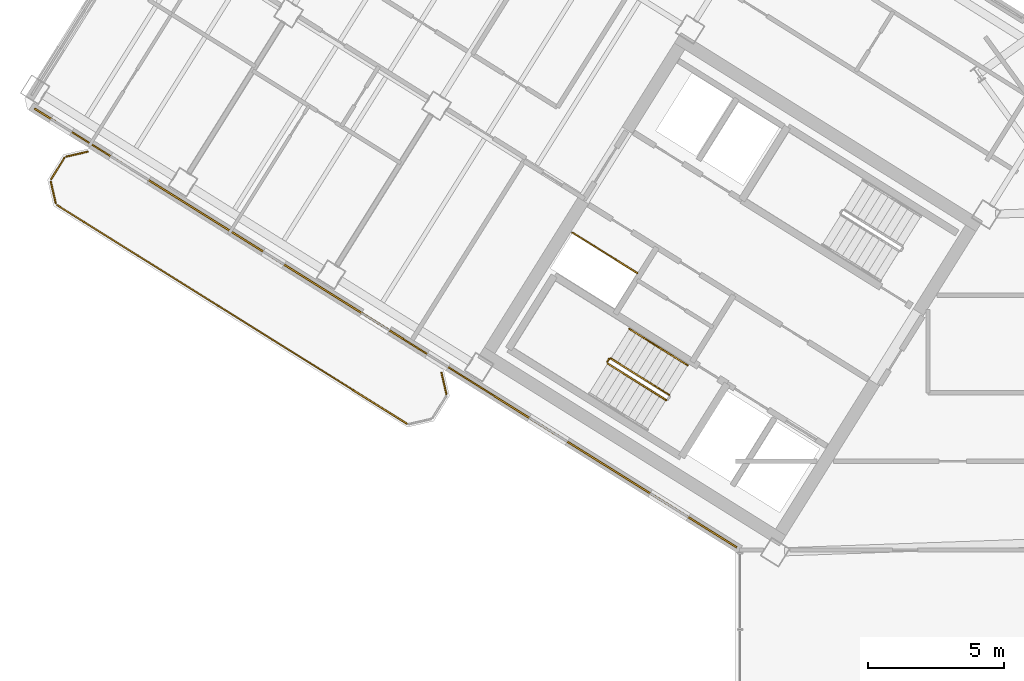
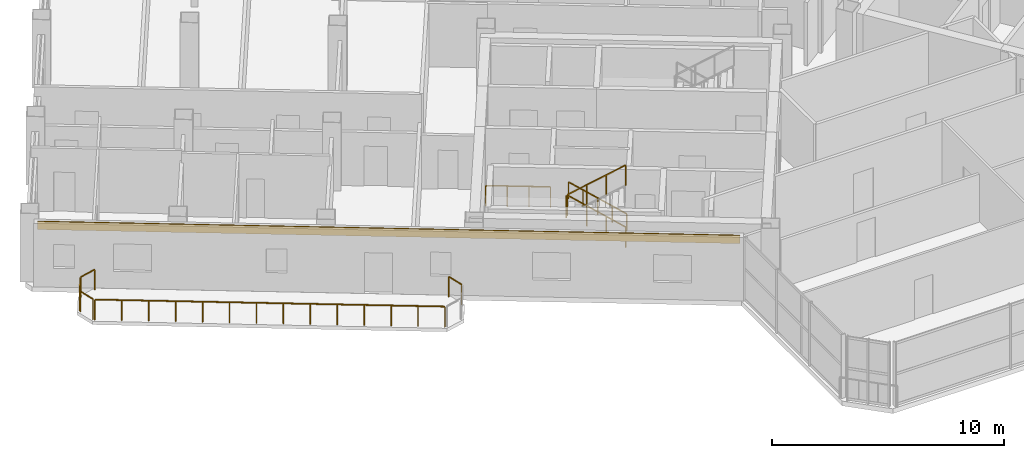
# One storey, part 18 of 21: 11 railings, 1 covering.
"""IFC4 building model written with IfcOpenShell, lengths in metres."""

import ifcopenshell
import ifcopenshell.guid

model = None  # the IFC model being written
_history = None  # IfcOwnerHistory: only IFC2X3 demands one
_inside = {}  # id of a spatial element -> (the spatial element, [elements in it])
_under = {}  # id of a project, library or spatial element -> (it, [spatial elements below it])
_declared = {}  # id of a project -> (the project, [libraries it declares])
_typed = {}  # id of a type object -> (the type object, [elements of that type])
_made_of = {}  # id of a material, layer set ... -> (it, [elements and type objects made of it])


def new_model(schema):
    """Start an empty IFC model of exactly this schema.

    Asked for "IFC4X3", IfcOpenShell would pick the latest addendum, in which some entities
    have other attributes; the version numbers below select the first issue.
    IFC2X3 requires an IfcOwnerHistory on every rooted entity: one is made here for all.
    """
    global model, _history
    if schema == "IFC4X3":
        model = ifcopenshell.file(schema_version=(4, 3, 0, 0))
    else:
        model = ifcopenshell.file(schema=schema)
    _inside.clear()
    _under.clear()
    _declared.clear()
    _typed.clear()
    _made_of.clear()
    _history = None
    if model.schema == "IFC2X3":
        org = make("IfcOrganization", Name="unknown")
        user = make(
            "IfcPersonAndOrganization",
            ThePerson=make("IfcPerson", FamilyName="unknown"),
            TheOrganization=org,
        )
        app = make(
            "IfcApplication",
            ApplicationDeveloper=org,
            Version="unknown",
            ApplicationFullName="unknown",
            ApplicationIdentifier="unknown",
        )
        _history = make(
            "IfcOwnerHistory",
            OwningUser=user,
            OwningApplication=app,
            ChangeAction="ADDED",
            CreationDate=0,
        )
    return model


def make(cls, **values):
    """One entity of the class cls with the attributes given. An attribute that is None is left unset."""
    return model.create_entity(
        cls, **{name: value for name, value in values.items() if value is not None}
    )


def rooted(cls, **values):
    """An entity with a GlobalId (a new one), such as an element, a storey or a relation."""
    return make(cls, GlobalId=ifcopenshell.guid.new(), OwnerHistory=_history, **values)


def si_unit(unit_type, name, prefix=None):
    """IfcSIUnit, for example si_unit("LENGTHUNIT", "METRE", prefix="MILLI")."""
    return make("IfcSIUnit", UnitType=unit_type, Prefix=prefix, Name=name)


def assignment(units):
    """IfcUnitAssignment: the units of a project."""
    return None if units is None else make("IfcUnitAssignment", Units=units)


def point(xyz):
    """IfcCartesianPoint."""
    return None if xyz is None else make("IfcCartesianPoint", Coordinates=xyz)


def direction(xyz):
    """IfcDirection."""
    return None if xyz is None else make("IfcDirection", DirectionRatios=xyz)


def frame(location, z_axis=None, x_axis=None):
    """IfcAxis2Placement3D, a coordinate frame: its origin and axes. An axis left out is left unset."""
    return make(
        "IfcAxis2Placement3D",
        Location=point(location),
        Axis=direction(z_axis),
        RefDirection=direction(x_axis),
    )


def frame_2d(location, x_axis=None):
    """IfcAxis2Placement2D, a coordinate frame in the plane: its origin and x axis."""
    return make(
        "IfcAxis2Placement2D", Location=point(location), RefDirection=direction(x_axis)
    )


def origin():
    """The frame at (0, 0, 0) with its axes left unset."""
    return frame((0.0, 0.0, 0.0))


def origin_2d():
    """The frame at (0, 0) in the plane with its x axis left unset."""
    return frame_2d((0.0, 0.0))


def place(relative_to, where):
    """IfcLocalPlacement: puts the frame where relative to a parent placement (None: the world)."""
    return make(
        "IfcLocalPlacement", PlacementRelTo=relative_to, RelativePlacement=where
    )


def context(
    kind, dimensions, precision=None, world=None, true_north=None, identifier=None
):
    """IfcGeometricRepresentationContext, for example the 3D "Model" context."""
    return make(
        "IfcGeometricRepresentationContext",
        ContextIdentifier=identifier,
        ContextType=kind,
        CoordinateSpaceDimension=dimensions,
        Precision=precision,
        WorldCoordinateSystem=world,
        TrueNorth=true_north,
    )


def subcontext(parent, identifier, kind, view, scale=None):
    """IfcGeometricRepresentationSubContext, for example "Body" below "Model"."""
    return make(
        "IfcGeometricRepresentationSubContext",
        ContextIdentifier=identifier,
        ContextType=kind,
        ParentContext=parent,
        TargetScale=scale,
        TargetView=view,
    )


def project(units=None, contexts=None):
    """IfcProject with its units and contexts."""
    return rooted(
        "IfcProject",
        Name="project",
        RepresentationContexts=contexts,
        UnitsInContext=assignment(units),
    )


def spatial(cls, under=None, at=None, **own):
    """A site, building, storey or space (cls), placed at a placement, below another one or the project."""
    s = rooted(cls, ObjectPlacement=at, **own)
    if under is not None:
        _under.setdefault(under.id(), (under, []))[1].append(s)
    return s


def profile(cls, at=None, kind="AREA", **sizes):
    """A parametric profile (cls). Its sizes go by their IFC names, for example OverallWidth=200.0."""
    return make(cls, ProfileType=kind, Position=at, **sizes)


def rectangle(**sizes):
    """IfcRectangleProfileDef."""
    return profile("IfcRectangleProfileDef", **sizes)


def extrude(swept, where, along, depth):
    """IfcExtrudedAreaSolid: the profile swept, set in the frame where, extruded along a direction by depth."""
    return make(
        "IfcExtrudedAreaSolid",
        SweptArea=swept,
        Position=where,
        ExtrudedDirection=direction(along),
        Depth=depth,
    )


def shape(context_of_items, identifier, shape_type, items):
    """IfcShapeRepresentation: the items that make up one representation, for example the "Body"."""
    return make(
        "IfcShapeRepresentation",
        ContextOfItems=context_of_items,
        RepresentationIdentifier=identifier,
        RepresentationType=shape_type,
        Items=items,
    )


def source(mapping_origin, context_of_items, identifier, shape_type, items):
    """IfcRepresentationMap: a shape defined once, which mapped items show again and again."""
    return make(
        "IfcRepresentationMap",
        MappingOrigin=mapping_origin,
        MappedRepresentation=shape(context_of_items, identifier, shape_type, items),
    )


def transform(
    local_origin,
    x_axis=None,
    y_axis=None,
    z_axis=None,
    scale=None,
    scale2=None,
    scale3=None,
    uniform=True,
):
    """IfcCartesianTransformationOperator3D, or its non-uniform kind. x_axis, y_axis, z_axis: its Axis1, 2, 3."""
    if uniform:
        return make(
            "IfcCartesianTransformationOperator3D",
            Axis1=direction(x_axis),
            Axis2=direction(y_axis),
            LocalOrigin=point(local_origin),
            Scale=scale,
            Axis3=direction(z_axis),
        )
    return make(
        "IfcCartesianTransformationOperator3DnonUniform",
        Axis1=direction(x_axis),
        Axis2=direction(y_axis),
        LocalOrigin=point(local_origin),
        Scale=scale,
        Axis3=direction(z_axis),
        Scale2=scale2,
        Scale3=scale3,
    )


def mapped(mapping_source, mapping_target):
    """IfcMappedItem: shows the shape of a source again, moved by a transform."""
    return make(
        "IfcMappedItem", MappingSource=mapping_source, MappingTarget=mapping_target
    )


def material(Name=None, Category=None):
    """IfcMaterial."""
    return make("IfcMaterial", Name=Name, Category=Category)


def layer(
    of_material, thickness, ventilated=None, Name=None, Category=None, Priority=None
):
    """IfcMaterialLayer: one layer of a wall or slab, of a material (None: an air gap)."""
    return make(
        "IfcMaterialLayer",
        Material=of_material,
        LayerThickness=thickness,
        IsVentilated=ventilated,
        Name=Name,
        Category=Category,
        Priority=Priority,
    )


def layer_set(layers, Name=None):
    """IfcMaterialLayerSet."""
    return make("IfcMaterialLayerSet", MaterialLayers=layers, LayerSetName=Name)


def made_of(thing, what):
    """Note that an element or type object is made of a material, layer set ...; save() writes the relation."""
    if what is not None:
        _made_of.setdefault(what.id(), (what, []))[1].append(thing)
    return thing


def type_object(cls, material=None, **own):
    """A type object (cls), such as IfcWallType, which elements share."""
    return made_of(rooted(cls, **own), material)


def element(
    cls,
    number,
    at=None,
    inside=None,
    cuts=None,
    type_object=None,
    material=None,
    context=None,
    identifier="Body",
    shape_type=None,
    held_by="IfcProductDefinitionShape",
    body=None,
    shapes=None,
    **own,
):
    """One element of the class cls, such as IfcWall. Its Tag is "e" and its number.

    at: its placement. inside: the storey or other place that contains it. cuts: it is an
    opening in that element (IfcRelVoidsElement). A single representation is given by context,
    identifier, shape_type and body (its items); several are given by shapes. held_by: the class
    of the entity that holds the representations. save() writes the other relations.
    """
    e = rooted(cls, Tag="e%d" % number, ObjectPlacement=at, **own)
    if body is not None:
        shapes = [shape(context, identifier, shape_type, body)]
    if shapes is not None:
        e.Representation = make(held_by, Representations=shapes)
    if inside is not None:
        _inside.setdefault(inside.id(), (inside, []))[1].append(e)
    if cuts is not None:
        rooted(
            "IfcRelVoidsElement", RelatingBuildingElement=cuts, RelatedOpeningElement=e
        )
    if type_object is not None:
        _typed.setdefault(type_object.id(), (type_object, []))[1].append(e)
    return made_of(e, material)


def aggregate(whole, parts):
    """IfcRelAggregates: a whole, such as a stair, and the parts it consists of."""
    return rooted("IfcRelAggregates", RelatingObject=whole, RelatedObjects=parts)


def save(model, path):
    """Write the relations noted so far, then the file.

    IfcRelAggregates (storeys below a building ...), IfcRelContainedInSpatialStructure (elements
    in a storey), IfcRelDefinesByType, IfcRelAssociatesMaterial and IfcRelDeclares: one each for
    every whole, place, type object, material and project.
    """
    for whole, parts in _under.values():
        aggregate(whole, parts)
    for where, things in _inside.values():
        rooted(
            "IfcRelContainedInSpatialStructure",
            RelatedElements=things,
            RelatingStructure=where,
        )
    for kind, things in _typed.values():
        rooted("IfcRelDefinesByType", RelatedObjects=things, RelatingType=kind)
    for what, things in _made_of.values():
        rooted("IfcRelAssociatesMaterial", RelatedObjects=things, RelatingMaterial=what)
    for by, libraries in _declared.values():
        rooted("IfcRelDeclares", RelatingContext=by, RelatedDefinitions=libraries)
    model.write(path)


model = new_model("IFC4")

# Units and contexts
model_context = context("Model", 3, precision=1e-05, world=origin(), true_north=direction((0.0, 1.0)))
body_context = subcontext(model_context, "Body", "Model", "MODEL_VIEW")
ifc_project = project(units=[si_unit("LENGTHUNIT", "METRE"), si_unit("AREAUNIT", "SQUARE_METRE"), si_unit("VOLUMEUNIT", "CUBIC_METRE"), si_unit("PLANEANGLEUNIT", "RADIAN"), si_unit("MASSUNIT", "GRAM", prefix="KILO")], contexts=[model_context])

# Site, building, storey
site_placement = place(None, origin())
site = spatial("IfcSite", under=ifc_project, at=site_placement, CompositionType="ELEMENT")
building_placement = place(site_placement, origin())
building = spatial("IfcBuilding", under=site, at=building_placement, Name="Tlacorven Tower", CompositionType="ELEMENT")
storey_placement = place(building_placement, frame((0.0, 0.0, 214.800048828125)))
storey = spatial("IfcBuildingStorey", under=building, at=storey_placement, Name="L54", CompositionType="ELEMENT", Elevation=214.800048828125)

# Railings
ifc_material_1 = material(Name="Aluminium and painted steel balustrade", Category="steel")
railing_type_1 = type_object("IfcRailingType", Name="RL-GRD-1100", PredefinedType="GUARDRAIL", material=ifc_material_1)
shared_shape_1 = source(origin(), body_context, "Body", "SweptSolid", [
    extrude(rectangle(XDim=0.048095703125, YDim=0.048095703125, at=origin_2d()), frame((0.0, 0.0, 1.076171875), z_axis=(-0.848091358275, 0.529850024081, 0.0), x_axis=(-0.529850024081, -0.848091358275, 0.0)), (0.0, 0.0, 1.0), 2.800048828125),
    extrude(rectangle(XDim=0.0419921875, YDim=0.0419921875, at=origin_2d()), origin(), (0.0, 0.0, 1.0), 1.052001953125),
    extrude(rectangle(XDim=0.0419921875, YDim=0.0419921875, at=origin_2d()), frame((-0.79150390625, 0.49462890625, 0.0)), (0.0, 0.0, 1.0), 1.052001953125),
    extrude(rectangle(XDim=0.0419921875, YDim=0.0419921875, at=origin_2d()), frame((-1.583251953125, 0.989013671875, 0.0)), (0.0, 0.0, 1.0), 1.052001953125),
    extrude(rectangle(XDim=0.0419921875, YDim=0.0419921875, at=origin_2d()), frame((-2.374755859375, 1.483642578125, 0.0)), (0.0, 0.0, 1.0), 1.052001953125),
])
railing_1_placement = place(storey_placement, frame((27.9912109375, 22.32080078125, 0.0)))
element("IfcRailing", 1, at=railing_1_placement, inside=storey, type_object=railing_type_1, Name="L54 Electrical Riser W Shaft Guard 1", PredefinedType="GUARDRAIL", context=body_context, shape_type="MappedRepresentation", body=[
    mapped(shared_shape_1, transform((0.0, 0.0, 0.0), scale=1.0)),
])
railing_type_2 = type_object("IfcRailingType", Name="RL-BAL-1100", PredefinedType="BALUSTRADE", material=ifc_material_1)
shared_shape_2 = source(origin(), body_context, "Body", "SweptSolid", [
    extrude(rectangle(XDim=0.048095703125, YDim=0.048095703125, at=origin_2d()), frame((0.0, 0.0, 1.076171875), z_axis=(0.225058334816, -0.974345290916, 0.0), x_axis=(0.974345290916, 0.225058334816, 0.0)), (0.0, 0.0, 1.0), 0.80712890625),
    extrude(rectangle(XDim=0.0419921875, YDim=0.0419921875, at=origin_2d()), origin(), (0.0, 0.0, 1.0), 1.052001953125),
    extrude(rectangle(XDim=0.0419921875, YDim=0.0419921875, at=origin_2d()), frame((0.181640625, -0.786376953125, 0.0)), (0.0, 0.0, 1.0), 1.052001953125),
])
railing_2_placement = place(storey_placement, frame((20.809814453125, 18.671142578125, 0.0)))
element("IfcRailing", 2, at=railing_2_placement, inside=storey, type_object=railing_type_2, Name="BAL-L54-W-OUT Guard Railing 1", PredefinedType="BALUSTRADE", context=body_context, shape_type="MappedRepresentation", body=[
    mapped(shared_shape_2, transform((0.0, 0.0, 0.0), scale=1.0)),
])
shared_shape_3 = source(origin(), body_context, "Body", "SweptSolid", [
    extrude(rectangle(XDim=0.048095703125, YDim=0.048095703125, at=origin_2d()), frame((0.0, 0.0, 1.076171875), z_axis=(-0.225058334816, 0.974345290916, 0.0), x_axis=(-0.974345290916, -0.225058334816, 0.0)), (0.0, 0.0, 1.0), 0.80712890625),
    extrude(rectangle(XDim=0.0419921875, YDim=0.0419921875, at=origin_2d()), origin(), (0.0, 0.0, 1.0), 1.052001953125),
    extrude(rectangle(XDim=0.0419921875, YDim=0.0419921875, at=origin_2d()), frame((-0.181640625, 0.786376953125, 0.0)), (0.0, 0.0, 1.0), 1.052001953125),
])
railing_3_placement = place(storey_placement, frame((6.66650390625, 24.88623046875, 0.0)))
element("IfcRailing", 3, at=railing_3_placement, inside=storey, type_object=railing_type_2, Name="BAL-L54-W-OUT Guard Railing 5", PredefinedType="BALUSTRADE", context=body_context, shape_type="MappedRepresentation", body=[
    mapped(shared_shape_3, transform((0.0, 0.0, 0.0), scale=1.0)),
])
shared_shape_4 = source(origin(), body_context, "Body", "SweptSolid", [
    extrude(rectangle(XDim=0.048095703125, YDim=0.048095703125, at=origin_2d()), frame((0.0, 0.0, 1.076171875), z_axis=(0.974411586182, 0.224771129628, 0.0), x_axis=(-0.224771129628, 0.974411586182, 0.0)), (0.0, 0.0, 1.0), 0.80712890625),
    extrude(rectangle(XDim=0.0419921875, YDim=0.0419921875, at=origin_2d()), origin(), (0.0, 0.0, 1.0), 1.052001953125),
    extrude(rectangle(XDim=0.0419921875, YDim=0.0419921875, at=origin_2d()), frame((0.786376953125, 0.181396484375, 0.0)), (0.0, 0.0, 1.0), 1.052001953125),
])
railing_4_placement = place(storey_placement, frame((7.05859375, 26.591064453125, 0.0)))
element("IfcRailing", 4, at=railing_4_placement, inside=storey, type_object=railing_type_2, Name="BAL-L54-W-OUT Guard Railing 7", PredefinedType="BALUSTRADE", context=body_context, shape_type="MappedRepresentation", body=[
    mapped(shared_shape_4, transform((0.0, 0.0, 0.0), scale=1.0)),
])
shared_shape_5 = source(origin(), body_context, "Body", "SweptSolid", [
    extrude(rectangle(XDim=0.048095703125, YDim=0.048095703125, at=origin_2d()), frame((0.0, 0.0, 1.076171875), z_axis=(0.529998940003, 0.847998304005, 0.0), x_axis=(-0.847998304005, 0.529998940003, 0.0)), (0.0, 0.0, 1.0), 0.912109375),
    extrude(rectangle(XDim=0.0419921875, YDim=0.0419921875, at=origin_2d()), origin(), (0.0, 0.0, 1.0), 1.052001953125),
    extrude(rectangle(XDim=0.0419921875, YDim=0.0419921875, at=origin_2d()), frame((0.4833984375, 0.7734375, 0.0)), (0.0, 0.0, 1.0), 1.052001953125),
])
railing_5_placement = place(storey_placement, frame((6.5, 25.763916015625, 0.0)))
element("IfcRailing", 5, at=railing_5_placement, inside=storey, type_object=railing_type_2, Name="BAL-L54-W-OUT Guard Railing 6", PredefinedType="BALUSTRADE", context=body_context, shape_type="MappedRepresentation", body=[
    mapped(shared_shape_5, transform((0.0, 0.0, 0.0), scale=1.0)),
])

# Covering
ifc_material_2 = material(Name="Precast concrete C45/55", Category="concrete")
ifc_layer = layer(ifc_material_2, 0.06005859375)
ifc_layer_set = layer_set([ifc_layer], Name="Precast concrete C45/55")
covering_type = type_object("IfcCoveringType", Name="CV-CLD-TERC", PredefinedType="CLADDING", material=ifc_layer_set)
shared_shape_6 = source(origin(), body_context, "Body", "SweptSolid", [
    extrude(rectangle(XDim=30.35205078125, YDim=0.06005859375, at=origin_2d()), origin(), (0.0, 0.0, 1.0), 0.419921875),
])
covering_placement = place(storey_placement, frame((18.7626953125, 20.3046875, 2.929931640625), z_axis=(0.0, 0.0, 1.0), x_axis=(-0.848048152806, 0.529919173576, 0.0)))
element("IfcCovering", 6, at=covering_placement, inside=storey, type_object=covering_type, Name="L54 Masonry-Frame Spandrel Cladding 1", PredefinedType="CLADDING", context=body_context, shape_type="MappedRepresentation", body=[
    mapped(shared_shape_6, transform((0.0, 0.0, 0.0), scale=1.0)),
])

# Railings
shared_shape_7 = source(origin(), body_context, "Body", "SweptSolid", [
    extrude(rectangle(XDim=0.048095703125, YDim=0.048095703125, at=origin_2d()), frame((0.0, 0.0, 1.076171875), z_axis=(-0.848051830527, 0.529913287944, 0.0), x_axis=(-0.529913287944, -0.848051830527, 0.0)), (0.0, 0.0, 1.0), 15.1171875),
    extrude(rectangle(XDim=0.0419921875, YDim=0.0419921875, at=origin_2d()), origin(), (0.0, 0.0, 1.0), 1.052001953125),
    extrude(rectangle(XDim=0.0419921875, YDim=0.0419921875, at=origin_2d()), frame((-0.986083984375, 0.6162109375, 0.0)), (0.0, 0.0, 1.0), 1.052001953125),
    extrude(rectangle(XDim=0.0419921875, YDim=0.0419921875, at=origin_2d()), frame((-1.972412109375, 1.232421875, 0.0)), (0.0, 0.0, 1.0), 1.052001953125),
    extrude(rectangle(XDim=0.0419921875, YDim=0.0419921875, at=origin_2d()), frame((-2.95849609375, 1.8486328125, 0.0)), (0.0, 0.0, 1.0), 1.052001953125),
    extrude(rectangle(XDim=0.0419921875, YDim=0.0419921875, at=origin_2d()), frame((-3.944580078125, 2.46484375, 0.0)), (0.0, 0.0, 1.0), 1.052001953125),
    extrude(rectangle(XDim=0.0419921875, YDim=0.0419921875, at=origin_2d()), frame((-4.930908203125, 3.0810546875, 0.0)), (0.0, 0.0, 1.0), 1.052001953125),
    extrude(rectangle(XDim=0.0419921875, YDim=0.0419921875, at=origin_2d()), frame((-5.9169921875, 3.697265625, 0.0)), (0.0, 0.0, 1.0), 1.052001953125),
    extrude(rectangle(XDim=0.0419921875, YDim=0.0419921875, at=origin_2d()), frame((-6.903076171875, 4.3134765625, 0.0)), (0.0, 0.0, 1.0), 1.052001953125),
    extrude(rectangle(XDim=0.0419921875, YDim=0.0419921875, at=origin_2d()), frame((-7.88916015625, 4.9296875, 0.0)), (0.0, 0.0, 1.0), 1.052001953125),
    extrude(rectangle(XDim=0.0419921875, YDim=0.0419921875, at=origin_2d()), frame((-8.87548828125, 5.5458984375, 0.0)), (0.0, 0.0, 1.0), 1.052001953125),
    extrude(rectangle(XDim=0.0419921875, YDim=0.0419921875, at=origin_2d()), frame((-9.861572265625, 6.162109375, 0.0)), (0.0, 0.0, 1.0), 1.052001953125),
    extrude(rectangle(XDim=0.0419921875, YDim=0.0419921875, at=origin_2d()), frame((-10.84765625, 6.7783203125, 0.0)), (0.0, 0.0, 1.0), 1.052001953125),
    extrude(rectangle(XDim=0.0419921875, YDim=0.0419921875, at=origin_2d()), frame((-11.833984375, 7.39453125, 0.0)), (0.0, 0.0, 1.0), 1.052001953125),
    extrude(rectangle(XDim=0.0419921875, YDim=0.0419921875, at=origin_2d()), frame((-12.820068359375, 8.0107421875, 0.0)), (0.0, 0.0, 1.0), 1.052001953125),
])
railing_6_placement = place(storey_placement, frame((19.5400390625, 16.80029296875, 0.0)))
element("IfcRailing", 7, at=railing_6_placement, inside=storey, type_object=railing_type_2, Name="BAL-L54-W-OUT Guard Railing 4", PredefinedType="BALUSTRADE", context=body_context, shape_type="MappedRepresentation", body=[
    mapped(shared_shape_7, transform((0.0, 0.0, 0.0), scale=1.0)),
])
shared_shape_8 = source(origin(), body_context, "Body", "SweptSolid", [
    extrude(rectangle(XDim=0.048095703125, YDim=0.048095703125, at=origin_2d()), frame((0.0, 0.0, 1.076171875), z_axis=(-0.713319727316, 0.445773895627, 0.540796265334), x_axis=(-0.529955395941, -0.84802551749, 0.0)), (0.0, 0.0, 1.0), 2.995849609375),
    extrude(rectangle(XDim=0.0419921875, YDim=0.0419921875, at=origin_2d()), origin(), (0.0, 0.0, 1.0), 1.052001953125),
    extrude(rectangle(XDim=0.0419921875, YDim=0.0419921875, at=origin_2d()), frame((-0.71240234375, 0.445068359375, 0.5400390625)), (0.0, 0.0, 1.0), 1.052001953125),
    extrude(rectangle(XDim=0.0419921875, YDim=0.0419921875, at=origin_2d()), frame((-1.424560546875, 0.890380859375, 1.080078125)), (0.0, 0.0, 1.0), 1.052001953125),
    extrude(rectangle(XDim=0.0419921875, YDim=0.0419921875, at=origin_2d()), frame((-2.136962890625, 1.33544921875, 1.6201171875)), (0.0, 0.0, 1.0), 1.052001953125),
])
railing_7_placement = place(storey_placement, frame((29.16064453125, 17.851806640625, 0.179931640625)))
element("IfcRailing", 8, at=railing_7_placement, inside=storey, type_object=railing_type_1, Name="L54 ST-W1 stair guard 1", PredefinedType="GUARDRAIL", context=body_context, shape_type="MappedRepresentation", body=[
    mapped(shared_shape_8, transform((0.0, 0.0, 0.0), scale=1.0)),
])
shared_shape_9 = source(origin(), body_context, "Body", "SweptSolid", [
    extrude(rectangle(XDim=0.048095703125, YDim=0.048095703125, at=origin_2d()), frame((0.0, 0.0, 1.076171875), z_axis=(-0.530546985787, -0.847655529016, 0.0), x_axis=(0.847655529016, -0.530546985787, 0.0)), (0.0, 0.0, 1.0), 0.1201171875),
    extrude(rectangle(XDim=0.0419921875, YDim=0.0419921875, at=origin_2d()), origin(), (0.0, 0.0, 1.0), 1.052001953125),
    extrude(rectangle(XDim=0.0419921875, YDim=0.0419921875, at=origin_2d()), frame((-0.063720703125, -0.101806640625, 0.0)), (0.0, 0.0, 1.0), 1.052001953125),
])
railing_8_placement = place(storey_placement, frame((26.954833984375, 19.17138671875, 1.800048828125)))
element("IfcRailing", 9, at=railing_8_placement, inside=storey, type_object=railing_type_1, Name="L54 ST-W1 stair guard 2", PredefinedType="GUARDRAIL", context=body_context, shape_type="MappedRepresentation", body=[
    mapped(shared_shape_9, transform((0.0, 0.0, 0.0), scale=1.0)),
])
railing_type_3 = type_object("IfcRailingType", Name="RL-HND-0900", PredefinedType="HANDRAIL", material=ifc_material_1)
shared_shape_10 = source(origin(), body_context, "Body", "SweptSolid", [
    extrude(rectangle(XDim=0.048095703125, YDim=0.048095703125, at=origin_2d()), frame((0.0, 0.0, 0.8759765625), z_axis=(-0.713359751793, 0.4457479829, 0.540764828981), x_axis=(-0.529911857636, -0.848052724267, 0.0)), (0.0, 0.0, 1.0), 1.498046875),
    extrude(rectangle(XDim=0.0419921875, YDim=0.0419921875, at=origin_2d()), origin(), (0.0, 0.0, 1.0), 0.851806640625),
    extrude(rectangle(XDim=0.0419921875, YDim=0.0419921875, at=origin_2d()), frame((-0.5341796875, 0.333984375, 0.405029296875)), (0.0, 0.0, 1.0), 0.851806640625),
    extrude(rectangle(XDim=0.0419921875, YDim=0.0419921875, at=origin_2d()), frame((-1.068603515625, 0.667724609375, 0.81005859375)), (0.0, 0.0, 1.0), 0.851806640625),
])
for number, where, name in (
    (10, (29.839111328125, 18.937255859375, 0.179931640625), "L54 ST-W1 stair handrail 1"),
    (11, (28.7705078125, 19.60498046875, 0.989990234375), "L54 ST-W1 stair handrail 2"),
):
    element("IfcRailing", number, at=place(storey_placement, frame(where)), inside=storey, type_object=railing_type_3, Name=name, PredefinedType="HANDRAIL", context=body_context, shape_type="MappedRepresentation", body=[
        mapped(shared_shape_10, transform((0.0, 0.0, 0.0), scale=1.0)),
    ])
shared_shape_11 = source(origin(), body_context, "Body", "SweptSolid", [
    extrude(rectangle(XDim=0.048095703125, YDim=0.048095703125, at=origin_2d()), frame((0.0, 0.0, 1.076171875), z_axis=(0.71339118691, -0.44576762536, 0.540707165313), x_axis=(0.529911857636, 0.848052724267, 0.0)), (0.0, 0.0, 1.0), 2.995849609375),
    extrude(rectangle(XDim=0.0419921875, YDim=0.0419921875, at=origin_2d()), origin(), (0.0, 0.0, 1.0), 1.052001953125),
    extrude(rectangle(XDim=0.0419921875, YDim=0.0419921875, at=origin_2d()), frame((0.71240234375, -0.445068359375, 0.5400390625)), (0.0, 0.0, 1.0), 1.052001953125),
    extrude(rectangle(XDim=0.0419921875, YDim=0.0419921875, at=origin_2d()), frame((1.4248046875, -0.890380859375, 1.079833984375)), (0.0, 0.0, 1.0), 1.052001953125),
    extrude(rectangle(XDim=0.0419921875, YDim=0.0419921875, at=origin_2d()), frame((2.13720703125, -1.33544921875, 1.619873046875)), (0.0, 0.0, 1.0), 1.052001953125),
])
railing_9_placement = place(storey_placement, frame((26.906982421875, 19.000732421875, 1.97998046875)))
element("IfcRailing", 12, at=railing_9_placement, inside=storey, type_object=railing_type_1, Name="L54 ST-W1 stair guard 3", PredefinedType="GUARDRAIL", context=body_context, shape_type="MappedRepresentation", body=[
    mapped(shared_shape_11, transform((0.0, 0.0, 0.0), scale=1.0)),
])

save(model, "model.ifc")
